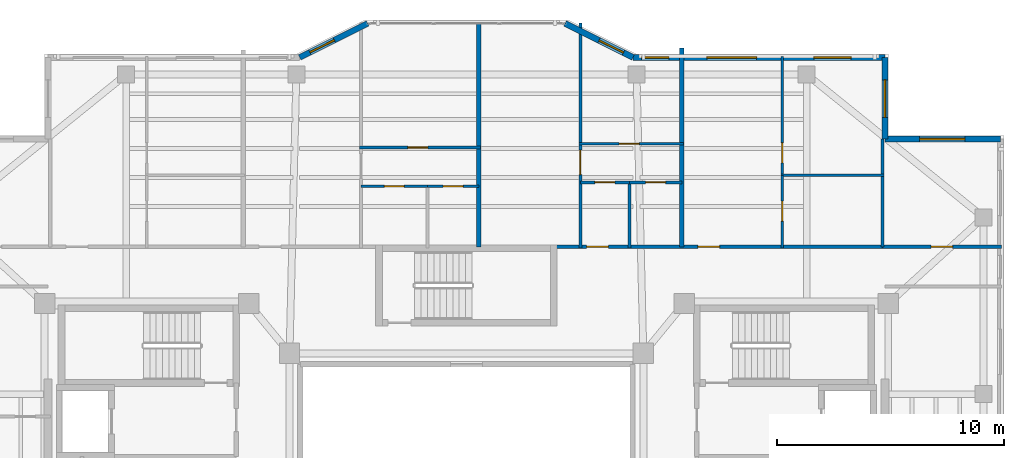
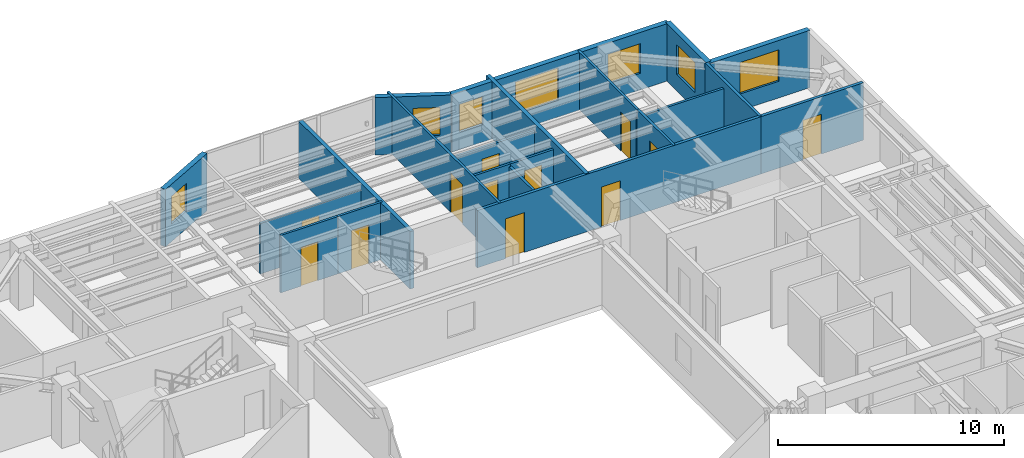
# One storey, part 8 of 12: 21 walls, 12 doors, 7 windows, 19 openings.
"""IFC4 building model written with IfcOpenShell, lengths in metres."""

import ifcopenshell
import ifcopenshell.guid

model = None  # the IFC model being written
_history = None  # IfcOwnerHistory: only IFC2X3 demands one
_inside = {}  # id of a spatial element -> (the spatial element, [elements in it])
_under = {}  # id of a project, library or spatial element -> (it, [spatial elements below it])
_declared = {}  # id of a project -> (the project, [libraries it declares])
_typed = {}  # id of a type object -> (the type object, [elements of that type])
_made_of = {}  # id of a material, layer set ... -> (it, [elements and type objects made of it])


def new_model(schema):
    """Start an empty IFC model of exactly this schema.

    Asked for "IFC4X3", IfcOpenShell would pick the latest addendum, in which some entities
    have other attributes; the version numbers below select the first issue.
    IFC2X3 requires an IfcOwnerHistory on every rooted entity: one is made here for all.
    """
    global model, _history
    if schema == "IFC4X3":
        model = ifcopenshell.file(schema_version=(4, 3, 0, 0))
    else:
        model = ifcopenshell.file(schema=schema)
    _inside.clear()
    _under.clear()
    _declared.clear()
    _typed.clear()
    _made_of.clear()
    _history = None
    if model.schema == "IFC2X3":
        org = make("IfcOrganization", Name="unknown")
        user = make(
            "IfcPersonAndOrganization",
            ThePerson=make("IfcPerson", FamilyName="unknown"),
            TheOrganization=org,
        )
        app = make(
            "IfcApplication",
            ApplicationDeveloper=org,
            Version="unknown",
            ApplicationFullName="unknown",
            ApplicationIdentifier="unknown",
        )
        _history = make(
            "IfcOwnerHistory",
            OwningUser=user,
            OwningApplication=app,
            ChangeAction="ADDED",
            CreationDate=0,
        )
    return model


def make(cls, **values):
    """One entity of the class cls with the attributes given. An attribute that is None is left unset."""
    return model.create_entity(
        cls, **{name: value for name, value in values.items() if value is not None}
    )


def rooted(cls, **values):
    """An entity with a GlobalId (a new one), such as an element, a storey or a relation."""
    return make(cls, GlobalId=ifcopenshell.guid.new(), OwnerHistory=_history, **values)


def si_unit(unit_type, name, prefix=None):
    """IfcSIUnit, for example si_unit("LENGTHUNIT", "METRE", prefix="MILLI")."""
    return make("IfcSIUnit", UnitType=unit_type, Prefix=prefix, Name=name)


def assignment(units):
    """IfcUnitAssignment: the units of a project."""
    return None if units is None else make("IfcUnitAssignment", Units=units)


def point(xyz):
    """IfcCartesianPoint."""
    return None if xyz is None else make("IfcCartesianPoint", Coordinates=xyz)


def direction(xyz):
    """IfcDirection."""
    return None if xyz is None else make("IfcDirection", DirectionRatios=xyz)


def frame(location, z_axis=None, x_axis=None):
    """IfcAxis2Placement3D, a coordinate frame: its origin and axes. An axis left out is left unset."""
    return make(
        "IfcAxis2Placement3D",
        Location=point(location),
        Axis=direction(z_axis),
        RefDirection=direction(x_axis),
    )


def frame_2d(location, x_axis=None):
    """IfcAxis2Placement2D, a coordinate frame in the plane: its origin and x axis."""
    return make(
        "IfcAxis2Placement2D", Location=point(location), RefDirection=direction(x_axis)
    )


def origin():
    """The frame at (0, 0, 0) with its axes left unset."""
    return frame((0.0, 0.0, 0.0))


def place(relative_to, where):
    """IfcLocalPlacement: puts the frame where relative to a parent placement (None: the world)."""
    return make(
        "IfcLocalPlacement", PlacementRelTo=relative_to, RelativePlacement=where
    )


def context(
    kind, dimensions, precision=None, world=None, true_north=None, identifier=None
):
    """IfcGeometricRepresentationContext, for example the 3D "Model" context."""
    return make(
        "IfcGeometricRepresentationContext",
        ContextIdentifier=identifier,
        ContextType=kind,
        CoordinateSpaceDimension=dimensions,
        Precision=precision,
        WorldCoordinateSystem=world,
        TrueNorth=true_north,
    )


def subcontext(parent, identifier, kind, view, scale=None):
    """IfcGeometricRepresentationSubContext, for example "Body" below "Model"."""
    return make(
        "IfcGeometricRepresentationSubContext",
        ContextIdentifier=identifier,
        ContextType=kind,
        ParentContext=parent,
        TargetScale=scale,
        TargetView=view,
    )


def project(units=None, contexts=None):
    """IfcProject with its units and contexts."""
    return rooted(
        "IfcProject",
        Name="project",
        RepresentationContexts=contexts,
        UnitsInContext=assignment(units),
    )


def spatial(cls, under=None, at=None, **own):
    """A site, building, storey or space (cls), placed at a placement, below another one or the project."""
    s = rooted(cls, ObjectPlacement=at, **own)
    if under is not None:
        _under.setdefault(under.id(), (under, []))[1].append(s)
    return s


def profile(cls, at=None, kind="AREA", **sizes):
    """A parametric profile (cls). Its sizes go by their IFC names, for example OverallWidth=200.0."""
    return make(cls, ProfileType=kind, Position=at, **sizes)


def rectangle(**sizes):
    """IfcRectangleProfileDef."""
    return profile("IfcRectangleProfileDef", **sizes)


def extrude(swept, where, along, depth):
    """IfcExtrudedAreaSolid: the profile swept, set in the frame where, extruded along a direction by depth."""
    return make(
        "IfcExtrudedAreaSolid",
        SweptArea=swept,
        Position=where,
        ExtrudedDirection=direction(along),
        Depth=depth,
    )


def shape(context_of_items, identifier, shape_type, items):
    """IfcShapeRepresentation: the items that make up one representation, for example the "Body"."""
    return make(
        "IfcShapeRepresentation",
        ContextOfItems=context_of_items,
        RepresentationIdentifier=identifier,
        RepresentationType=shape_type,
        Items=items,
    )


def material(Name=None, Category=None):
    """IfcMaterial."""
    return make("IfcMaterial", Name=Name, Category=Category)


def layer(
    of_material, thickness, ventilated=None, Name=None, Category=None, Priority=None
):
    """IfcMaterialLayer: one layer of a wall or slab, of a material (None: an air gap)."""
    return make(
        "IfcMaterialLayer",
        Material=of_material,
        LayerThickness=thickness,
        IsVentilated=ventilated,
        Name=Name,
        Category=Category,
        Priority=Priority,
    )


def layer_set(layers, Name=None):
    """IfcMaterialLayerSet."""
    return make("IfcMaterialLayerSet", MaterialLayers=layers, LayerSetName=Name)


def made_of(thing, what):
    """Note that an element or type object is made of a material, layer set ...; save() writes the relation."""
    if what is not None:
        _made_of.setdefault(what.id(), (what, []))[1].append(thing)
    return thing


def type_object(cls, material=None, **own):
    """A type object (cls), such as IfcWallType, which elements share."""
    return made_of(rooted(cls, **own), material)


def element(
    cls,
    number,
    at=None,
    inside=None,
    cuts=None,
    type_object=None,
    material=None,
    context=None,
    identifier="Body",
    shape_type=None,
    held_by="IfcProductDefinitionShape",
    body=None,
    shapes=None,
    **own,
):
    """One element of the class cls, such as IfcWall. Its Tag is "e" and its number.

    at: its placement. inside: the storey or other place that contains it. cuts: it is an
    opening in that element (IfcRelVoidsElement). A single representation is given by context,
    identifier, shape_type and body (its items); several are given by shapes. held_by: the class
    of the entity that holds the representations. save() writes the other relations.
    """
    e = rooted(cls, Tag="e%d" % number, ObjectPlacement=at, **own)
    if body is not None:
        shapes = [shape(context, identifier, shape_type, body)]
    if shapes is not None:
        e.Representation = make(held_by, Representations=shapes)
    if inside is not None:
        _inside.setdefault(inside.id(), (inside, []))[1].append(e)
    if cuts is not None:
        rooted(
            "IfcRelVoidsElement", RelatingBuildingElement=cuts, RelatedOpeningElement=e
        )
    if type_object is not None:
        _typed.setdefault(type_object.id(), (type_object, []))[1].append(e)
    return made_of(e, material)


def fill(opening, filler):
    """IfcRelFillsElement: the door or window that sits in an opening."""
    return rooted(
        "IfcRelFillsElement",
        RelatingOpeningElement=opening,
        RelatedBuildingElement=filler,
    )


def aggregate(whole, parts):
    """IfcRelAggregates: a whole, such as a stair, and the parts it consists of."""
    return rooted("IfcRelAggregates", RelatingObject=whole, RelatedObjects=parts)


def save(model, path):
    """Write the relations noted so far, then the file.

    IfcRelAggregates (storeys below a building ...), IfcRelContainedInSpatialStructure (elements
    in a storey), IfcRelDefinesByType, IfcRelAssociatesMaterial and IfcRelDeclares: one each for
    every whole, place, type object, material and project.
    """
    for whole, parts in _under.values():
        aggregate(whole, parts)
    for where, things in _inside.values():
        rooted(
            "IfcRelContainedInSpatialStructure",
            RelatedElements=things,
            RelatingStructure=where,
        )
    for kind, things in _typed.values():
        rooted("IfcRelDefinesByType", RelatedObjects=things, RelatingType=kind)
    for what, things in _made_of.values():
        rooted("IfcRelAssociatesMaterial", RelatedObjects=things, RelatingMaterial=what)
    for by, libraries in _declared.values():
        rooted("IfcRelDeclares", RelatingContext=by, RelatedDefinitions=libraries)
    model.write(path)


model = new_model("IFC4")

# Units and contexts
model_context = context("Model", 3, precision=1e-05, world=origin(), true_north=direction((0.0, 1.0)))
body_context = subcontext(model_context, "Body", "Model", "MODEL_VIEW")
ifc_project = project(units=[si_unit("LENGTHUNIT", "METRE"), si_unit("AREAUNIT", "SQUARE_METRE"), si_unit("VOLUMEUNIT", "CUBIC_METRE"), si_unit("PLANEANGLEUNIT", "RADIAN"), si_unit("MASSUNIT", "GRAM", prefix="KILO")], contexts=[model_context])

# Site, building, storey
site_placement = place(None, origin())
site = spatial("IfcSite", under=ifc_project, at=site_placement, CompositionType="ELEMENT")
building_placement = place(site_placement, origin())
building = spatial("IfcBuilding", under=site, at=building_placement, Name="Tarnavaz Court Tower", CompositionType="ELEMENT")
storey_placement = place(building_placement, frame((0.0, 0.0, 207.0)))
storey = spatial("IfcBuildingStorey", under=building, at=storey_placement, Name="L56", CompositionType="ELEMENT", Elevation=207.0)

# Wall, opening, window
ifc_material_1 = material(Name="Precast Concrete C40/50", Category="concrete")
ifc_layer_1 = layer(ifc_material_1, 0.260009765625)
ifc_layer_set_1 = layer_set([ifc_layer_1], Name="Precast Concrete C40/50")
wall_type_1 = type_object("IfcWallType", Name="WL-EXT-260", PredefinedType="SOLIDWALL", material=ifc_layer_set_1)
wall_1_placement = place(storey_placement, frame((-7.35009765625, 20.85009765625, 0.0), z_axis=(0.0, 0.0, 1.0), x_axis=(0.894427191, 0.4472135955, 0.0)))
wall_1 = element("IfcWall", 1, at=wall_1_placement, inside=storey, type_object=wall_type_1, Name="L56 Exterior Terracotta Facade Wall 06", PredefinedType="SOLIDWALL", context=body_context, shape_type="SweptSolid", body=[
    extrude(rectangle(XDim=3.35400390625, YDim=0.260009765625, at=frame_2d((1.677001953125, 0.0))), origin(), (0.0, 0.0, 1.0), 3.10009765625),
])
opening_1_placement = place(wall_1_placement, frame((0.501220703125, 0.0, 0.949951171875)))
opening_1 = element("IfcOpeningElement", 2, at=opening_1_placement, cuts=wall_1, Name="Opening W05", PredefinedType="OPENING", context=body_context, shape_type="SweptSolid", body=[
    extrude(rectangle(XDim=1.199951171875, YDim=1.5, at=frame_2d((0.60009765625, 0.75))), frame((0.0, 0.139892578125, 0.0), z_axis=(0.0, -1.0, 0.0), x_axis=(1.0, 0.0, 0.0)), (0.0, 0.0, 1.0), 0.280029296875),
])
ifc_material_2 = material(Name="Double-Glazed Solar Low-E Glass", Category="glass")
window_type_1 = type_object("IfcWindowType", Name="WN-APT-1200", PartitioningType="SINGLE_PANEL", PredefinedType="WINDOW", material=ifc_material_2)
window_1_placement = place(opening_1_placement, origin())
window_1 = element("IfcWindow", 3, at=window_1_placement, inside=storey, type_object=window_type_1, Name="L56 Flat 02 Living and Dining Room Window", OverallHeight=1.5, OverallWidth=1.199951171875, PartitioningType="SINGLE_PANEL", PredefinedType="WINDOW", context=body_context, shape_type="SweptSolid", body=[
    extrude(rectangle(XDim=1.199951171875, YDim=1.5, at=frame_2d((0.60009765625, 0.75))), frame((0.0, 0.030029296875, 0.0), z_axis=(0.0, -1.0, 0.0), x_axis=(1.0, 0.0, 0.0)), (0.0, 0.0, 1.0), 0.06005859375),
])
fill(opening_1, window_1)

wall_2_placement = place(storey_placement, frame((4.35009765625, 22.35009765625, 0.0), z_axis=(0.0, 0.0, 1.0), x_axis=(0.894427191, -0.4472135955, 0.0)))
wall_2 = element("IfcWall", 4, at=wall_2_placement, inside=storey, type_object=wall_type_1, Name="L56 Exterior Terracotta Facade Wall 08", PredefinedType="SOLIDWALL", context=body_context, shape_type="SweptSolid", body=[
    extrude(rectangle(XDim=3.35400390625, YDim=0.260009765625, at=frame_2d((1.677001953125, 0.0))), origin(), (0.0, 0.0, 1.0), 3.10009765625),
])
opening_2_placement = place(wall_2_placement, frame((1.677978515625, 0.0, 0.949951171875)))
opening_2 = element("IfcOpeningElement", 5, at=opening_2_placement, cuts=wall_2, Name="Opening W05", PredefinedType="OPENING", context=body_context, shape_type="SweptSolid", body=[
    extrude(rectangle(XDim=1.199951171875, YDim=1.5, at=frame_2d((0.60009765625, 0.75))), frame((0.0, 0.139892578125, 0.0), z_axis=(0.0, -1.0, 0.0), x_axis=(1.0, 0.0, 0.0)), (0.0, 0.0, 1.0), 0.280029296875),
])
window_2_placement = place(opening_2_placement, origin())
window_2 = element("IfcWindow", 6, at=window_2_placement, inside=storey, type_object=window_type_1, Name="L56 Flat 03 Bedroom 1 Window", OverallHeight=1.5, OverallWidth=1.199951171875, PartitioningType="SINGLE_PANEL", PredefinedType="WINDOW", context=body_context, shape_type="SweptSolid", body=[
    extrude(rectangle(XDim=1.199951171875, YDim=1.5, at=frame_2d((0.60009765625, 0.75))), frame((0.0, 0.030029296875, 0.0), z_axis=(0.0, -1.0, 0.0), x_axis=(1.0, 0.0, 0.0)), (0.0, 0.0, 1.0), 0.06005859375),
])
fill(opening_2, window_2)

# Wall, openings, windows
wall_3_placement = place(storey_placement, frame((7.35009765625, 20.85009765625, 0.0), z_axis=(0.0, 0.0, 1.0), x_axis=(1.0, 0.0, 0.0)))
wall_3 = element("IfcWall", 7, at=wall_3_placement, inside=storey, type_object=wall_type_1, Name="L56 Exterior Terracotta Facade Wall 09", PredefinedType="SOLIDWALL", context=body_context, shape_type="SweptSolid", body=[
    extrude(rectangle(XDim=11.099853515625, YDim=0.260009765625, at=frame_2d((5.5498046875, 0.0))), origin(), (0.0, 0.0, 1.0), 3.10009765625),
])
opening_3_placement = place(wall_3_placement, frame((0.375, 0.0, 0.949951171875)))
opening_3 = element("IfcOpeningElement", 8, at=opening_3_placement, cuts=wall_3, Name="Opening W05", PredefinedType="OPENING", context=body_context, shape_type="SweptSolid", body=[
    extrude(rectangle(XDim=1.199951171875, YDim=1.5, at=frame_2d((0.60009765625, 0.75))), frame((0.0, 0.139892578125, 0.0), z_axis=(0.0, -1.0, 0.0), x_axis=(1.0, 0.0, 0.0)), (0.0, 0.0, 1.0), 0.280029296875),
])
opening_4_placement = place(wall_3_placement, frame((3.24462890625, 0.0, 0.89990234375)))
opening_4 = element("IfcOpeningElement", 9, at=opening_4_placement, cuts=wall_3, Name="Opening W07", PredefinedType="OPENING", context=body_context, shape_type="SweptSolid", body=[
    extrude(rectangle(XDim=2.199951171875, YDim=1.75, at=frame_2d((1.10009765625, 0.875))), frame((0.0, 0.139892578125, 0.0), z_axis=(0.0, -1.0, 0.0), x_axis=(1.0, 0.0, 0.0)), (0.0, 0.0, 1.0), 0.280029296875),
])
opening_5_placement = place(wall_3_placement, frame((7.964599609375, 0.0, 0.89990234375)))
opening_5 = element("IfcOpeningElement", 10, at=opening_5_placement, cuts=wall_3, Name="Opening W02", PredefinedType="OPENING", context=body_context, shape_type="SweptSolid", body=[
    extrude(rectangle(XDim=1.64990234375, YDim=1.60009765625, at=frame_2d((0.824951171875, 0.800048828125))), frame((0.0, 0.139892578125, 0.0), z_axis=(0.0, -1.0, 0.0), x_axis=(1.0, 0.0, 0.0)), (0.0, 0.0, 1.0), 0.280029296875),
])
window_3_placement = place(opening_3_placement, origin())
window_3 = element("IfcWindow", 11, at=window_3_placement, inside=storey, type_object=window_type_1, Name="L56 Flat 03 Bedroom 1 Window", OverallHeight=1.5, OverallWidth=1.199951171875, PartitioningType="SINGLE_PANEL", PredefinedType="WINDOW", context=body_context, shape_type="SweptSolid", body=[
    extrude(rectangle(XDim=1.199951171875, YDim=1.5, at=frame_2d((0.60009765625, 0.75))), frame((0.0, 0.030029296875, 0.0), z_axis=(0.0, -1.0, 0.0), x_axis=(1.0, 0.0, 0.0)), (0.0, 0.0, 1.0), 0.06005859375),
])
fill(opening_3, window_3)
window_type_2 = type_object("IfcWindowType", Name="WN-APT-1650", PartitioningType="DOUBLE_PANEL_VERTICAL", PredefinedType="WINDOW", material=ifc_material_2)
window_4_placement = place(opening_5_placement, origin())
window_4 = element("IfcWindow", 12, at=window_4_placement, inside=storey, type_object=window_type_2, Name="L56 Flat 04 Kitchen Window", OverallHeight=1.60009765625, OverallWidth=1.64990234375, PartitioningType="SINGLE_PANEL", PredefinedType="WINDOW", context=body_context, shape_type="SweptSolid", body=[
    extrude(rectangle(XDim=1.64990234375, YDim=1.60009765625, at=frame_2d((0.824951171875, 0.800048828125))), frame((0.0, 0.030029296875, 0.0), z_axis=(0.0, -1.0, 0.0), x_axis=(1.0, 0.0, 0.0)), (0.0, 0.0, 1.0), 0.06005859375),
])
fill(opening_5, window_4)
window_type_3 = type_object("IfcWindowType", Name="WN-APT-2200", PartitioningType="TRIPLE_PANEL_VERTICAL", PredefinedType="WINDOW", material=ifc_material_2)
window_5_placement = place(opening_4_placement, origin())
window_5 = element("IfcWindow", 13, at=window_5_placement, inside=storey, type_object=window_type_3, Name="L56 Flat 04 Studio Living and Sleeping Room Window", OverallHeight=1.75, OverallWidth=2.199951171875, PartitioningType="SINGLE_PANEL", PredefinedType="WINDOW", context=body_context, shape_type="SweptSolid", body=[
    extrude(rectangle(XDim=2.199951171875, YDim=1.75, at=frame_2d((1.10009765625, 0.875))), frame((0.0, 0.030029296875, 0.0), z_axis=(0.0, -1.0, 0.0), x_axis=(1.0, 0.0, 0.0)), (0.0, 0.0, 1.0), 0.06005859375),
])
fill(opening_4, window_5)

# Wall, opening, window
wall_4_placement = place(storey_placement, frame((18.449951171875, 20.85009765625, 0.0), z_axis=(0.0, 0.0, 1.0), x_axis=(0.0, -1.0, 0.0)))
wall_4 = element("IfcWall", 14, at=wall_4_placement, inside=storey, type_object=wall_type_1, Name="L56 Exterior Terracotta Facade Wall 10", PredefinedType="SOLIDWALL", context=body_context, shape_type="SweptSolid", body=[
    extrude(rectangle(XDim=3.60009765625, YDim=0.260009765625, at=frame_2d((1.800048828125, 0.0))), origin(), (0.0, 0.0, 1.0), 3.10009765625),
])
opening_6_placement = place(wall_4_placement, frame((0.992431640625, 0.0, 0.89990234375)))
opening_6 = element("IfcOpeningElement", 15, at=opening_6_placement, cuts=wall_4, Name="Opening W02", PredefinedType="OPENING", context=body_context, shape_type="SweptSolid", body=[
    extrude(rectangle(XDim=1.64990234375, YDim=1.60009765625, at=frame_2d((0.824951171875, 0.800048828125))), frame((0.0, 0.139892578125, 0.0), z_axis=(0.0, -1.0, 0.0), x_axis=(1.0, 0.0, 0.0)), (0.0, 0.0, 1.0), 0.280029296875),
])
window_6_placement = place(opening_6_placement, origin())
window_6 = element("IfcWindow", 16, at=window_6_placement, inside=storey, type_object=window_type_2, Name="L56 Flat 04 Kitchen Window", OverallHeight=1.60009765625, OverallWidth=1.64990234375, PartitioningType="SINGLE_PANEL", PredefinedType="WINDOW", context=body_context, shape_type="SweptSolid", body=[
    extrude(rectangle(XDim=1.64990234375, YDim=1.60009765625, at=frame_2d((0.824951171875, 0.800048828125))), frame((0.0, 0.030029296875, 0.0), z_axis=(0.0, -1.0, 0.0), x_axis=(1.0, 0.0, 0.0)), (0.0, 0.0, 1.0), 0.06005859375),
])
fill(opening_6, window_6)

wall_5_placement = place(storey_placement, frame((18.449951171875, 17.25, 0.0), z_axis=(0.0, 0.0, 1.0), x_axis=(1.0, 0.0, 0.0)))
wall_5 = element("IfcWall", 17, at=wall_5_placement, inside=storey, type_object=wall_type_1, Name="L56 Exterior Terracotta Facade Wall 11", PredefinedType="SOLIDWALL", context=body_context, shape_type="SweptSolid", body=[
    extrude(rectangle(XDim=5.10009765625, YDim=0.260009765625, at=frame_2d((2.550048828125, 0.0))), origin(), (0.0, 0.0, 1.0), 3.10009765625),
])
opening_7_placement = place(wall_5_placement, frame((1.52490234375, 0.0, 0.89990234375)))
opening_7 = element("IfcOpeningElement", 18, at=opening_7_placement, cuts=wall_5, Name="Opening W08", PredefinedType="OPENING", context=body_context, shape_type="SweptSolid", body=[
    extrude(rectangle(XDim=2.0, YDim=1.699951171875, at=frame_2d((1.0, 0.85009765625))), frame((0.0, 0.139892578125, 0.0), z_axis=(0.0, -1.0, 0.0), x_axis=(1.0, 0.0, 0.0)), (0.0, 0.0, 1.0), 0.280029296875),
])
window_type_4 = type_object("IfcWindowType", Name="WN-APT-2000", PartitioningType="DOUBLE_PANEL_VERTICAL", PredefinedType="WINDOW", material=ifc_material_2)
window_7_placement = place(opening_7_placement, origin())
window_7 = element("IfcWindow", 19, at=window_7_placement, inside=storey, type_object=window_type_4, Name="L56 North-East Corner Sunroom Study Window", OverallHeight=1.699951171875, OverallWidth=2.0, PartitioningType="SINGLE_PANEL", PredefinedType="WINDOW", context=body_context, shape_type="SweptSolid", body=[
    extrude(rectangle(XDim=2.0, YDim=1.699951171875, at=frame_2d((1.0, 0.85009765625))), frame((0.0, 0.030029296875, 0.0), z_axis=(0.0, -1.0, 0.0), x_axis=(1.0, 0.0, 0.0)), (0.0, 0.0, 1.0), 0.06005859375),
])
fill(opening_7, window_7)

# Wall, openings, doors
ifc_material_3 = material(Name="Gypsum Fire-Board on Acoustic Metal Stud", Category="masonry")
ifc_layer_2 = layer(ifc_material_3, 0.14990234375)
ifc_layer_set_2 = layer_set([ifc_layer_2], Name="Gypsum Fire-Board on Acoustic Metal Stud")
wall_type_2 = type_object("IfcWallType", Name="WL-FIRE-150", PredefinedType="PARTITIONING", material=ifc_layer_set_2)
wall_6_placement = place(storey_placement, frame((3.85009765625, 12.5, 0.0), z_axis=(0.0, 0.0, 1.0), x_axis=(1.0, 0.0, 0.0)))
wall_6 = element("IfcWall", 20, at=wall_6_placement, inside=storey, type_object=wall_type_2, Name="L56 NE Wing Corridor Wall 056", PredefinedType="PARTITIONING", context=body_context, shape_type="SweptSolid", body=[
    extrude(rectangle(XDim=14.5, YDim=0.14990234375, at=frame_2d((7.25, 0.0))), origin(), (0.0, 0.0, 1.0), 3.10009765625),
])
opening_8_placement = place(wall_6_placement, frame((1.449951171875, 0.0, 0.0)))
opening_8 = element("IfcOpeningElement", 21, at=opening_8_placement, cuts=wall_6, Name="Opening D06", PredefinedType="OPENING", context=body_context, shape_type="SweptSolid", body=[
    extrude(rectangle(XDim=0.9599609375, YDim=2.14990234375, at=frame_2d((0.47998046875, 1.074951171875))), frame((0.0, 0.0849609375, 0.0), z_axis=(0.0, -1.0, 0.0), x_axis=(1.0, 0.0, 0.0)), (0.0, 0.0, 1.0), 0.169921875),
])
opening_9_placement = place(wall_6_placement, frame((6.35009765625, 0.0, 0.0)))
opening_9 = element("IfcOpeningElement", 22, at=opening_9_placement, cuts=wall_6, Name="Opening D06", PredefinedType="OPENING", context=body_context, shape_type="SweptSolid", body=[
    extrude(rectangle(XDim=0.9599609375, YDim=2.14990234375, at=frame_2d((0.47998046875, 1.074951171875))), frame((0.0, 0.0849609375, 0.0), z_axis=(0.0, -1.0, 0.0), x_axis=(1.0, 0.0, 0.0)), (0.0, 0.0, 1.0), 0.169921875),
])
ifc_material_4 = material(Name="Fire-Rated Hardwood Timber Core", Category="wood")
door_type_1 = type_object("IfcDoorType", Name="DR-FD60-950", OperationType="NOTDEFINED", PredefinedType="DOOR", material=ifc_material_4)
door_1_placement = place(opening_8_placement, origin())
door_1 = element("IfcDoor", 23, at=door_1_placement, inside=storey, type_object=door_type_1, Name="L56 Flat 03 Entrance Door", OperationType="SINGLE_SWING_LEFT", OverallHeight=2.14990234375, OverallWidth=0.9599609375, PredefinedType="DOOR", context=body_context, shape_type="SweptSolid", body=[
    extrude(rectangle(XDim=0.9599609375, YDim=2.14990234375, at=frame_2d((0.47998046875, 1.074951171875))), frame((0.0, 0.02490234375, 0.0), z_axis=(0.0, -1.0, 0.0), x_axis=(1.0, 0.0, 0.0)), (0.0, 0.0, 1.0), 0.050048828125),
])
fill(opening_8, door_1)
door_2_placement = place(opening_9_placement, origin())
door_2 = element("IfcDoor", 24, at=door_2_placement, inside=storey, type_object=door_type_1, Name="L56 Flat 04 Entrance Door", OperationType="SINGLE_SWING_RIGHT", OverallHeight=2.14990234375, OverallWidth=0.9599609375, PredefinedType="DOOR", context=body_context, shape_type="SweptSolid", body=[
    extrude(rectangle(XDim=0.9599609375, YDim=2.14990234375, at=frame_2d((0.47998046875, 1.074951171875))), frame((0.0, 0.02490234375, 0.0), z_axis=(0.0, -1.0, 0.0), x_axis=(1.0, 0.0, 0.0)), (0.0, 0.0, 1.0), 0.050048828125),
])
fill(opening_9, door_2)

# Wall, opening, door
wall_7_placement = place(storey_placement, frame((18.35009765625, 12.5, 0.0), z_axis=(0.0, 0.0, 1.0), x_axis=(1.0, 0.0, 0.0)))
wall_7 = element("IfcWall", 25, at=wall_7_placement, inside=storey, type_object=wall_type_2, Name="L56 Interior Partition 105", PredefinedType="PARTITIONING", context=body_context, shape_type="SweptSolid", body=[
    extrude(rectangle(XDim=5.22998046875, YDim=0.14990234375, at=frame_2d((2.614990234375, 0.0))), origin(), (0.0, 0.0, 1.0), 3.10009765625),
])
opening_10_placement = place(wall_7_placement, frame((2.139892578125, 0.0, 0.0)))
opening_10 = element("IfcOpeningElement", 26, at=opening_10_placement, cuts=wall_7, Name="Opening D13", PredefinedType="OPENING", context=body_context, shape_type="SweptSolid", body=[
    extrude(rectangle(XDim=0.949951171875, YDim=2.14990234375, at=frame_2d((0.47509765625, 1.074951171875))), frame((0.0, 0.0849609375, 0.0), z_axis=(0.0, -1.0, 0.0), x_axis=(1.0, 0.0, 0.0)), (0.0, 0.0, 1.0), 0.169921875),
])
ifc_material_5 = material(Name="Engineered Oak Timber", Category="wood")
door_type_2 = type_object("IfcDoorType", Name="DR-INT-950", OperationType="NOTDEFINED", PredefinedType="DOOR", material=ifc_material_5)
door_3_placement = place(opening_10_placement, origin())
door_3 = element("IfcDoor", 27, at=door_3_placement, inside=storey, type_object=door_type_2, Name="L56 NE Sunroom Door", OperationType="SINGLE_SWING_RIGHT", OverallHeight=2.14990234375, OverallWidth=0.949951171875, PredefinedType="DOOR", context=body_context, shape_type="SweptSolid", body=[
    extrude(rectangle(XDim=0.949951171875, YDim=2.14990234375, at=frame_2d((0.47509765625, 1.074951171875))), frame((0.0, 0.02490234375, 0.0), z_axis=(0.0, -1.0, 0.0), x_axis=(1.0, 0.0, 0.0)), (0.0, 0.0, 1.0), 0.050048828125),
])
fill(opening_10, door_3)

# Walls
ifc_material_6 = material(Name="Autoclaved Aerated Concrete Blockwork", Category="masonry")
ifc_layer_3 = layer(ifc_material_6, 0.199951171875)
ifc_layer_set_3 = layer_set([ifc_layer_3], Name="Autoclaved Aerated Concrete Blockwork")
wall_type_3 = type_object("IfcWallType", Name="WL-FIRE-200", PredefinedType="SOLIDWALL", material=ifc_layer_set_3)
wall_8_placement = place(storey_placement, frame((0.550048828125, 12.5, 0.0), z_axis=(0.0, 0.0, 1.0), x_axis=(0.0, 1.0, 0.0)))
element("IfcWall", 28, at=wall_8_placement, inside=storey, type_object=wall_type_3, Name="L56 North Center Party Wall 061", PredefinedType="SOLIDWALL", context=body_context, shape_type="SweptSolid", body=[
    extrude(rectangle(XDim=9.8798828125, YDim=0.199951171875, at=frame_2d((4.93994140625, 0.0))), origin(), (0.0, 0.0, 1.0), 3.10009765625),
])
wall_9_placement = place(storey_placement, frame((9.5, 12.5, 0.0), z_axis=(0.0, 0.0, 1.0), x_axis=(0.0, 1.0, 0.0)))
element("IfcWall", 29, at=wall_9_placement, inside=storey, type_object=wall_type_3, Name="L56 Party Wall 071", PredefinedType="SOLIDWALL", context=body_context, shape_type="SweptSolid", body=[
    extrude(rectangle(XDim=8.77001953125, YDim=0.199951171875, at=frame_2d((4.385009765625, 0.0))), origin(), (0.0, 0.0, 1.0), 3.10009765625),
])

# Wall, opening, door
ifc_material_7 = material(Name="Moisture-Resistant Gypsum Board Partition", Category="masonry")
ifc_layer_4 = layer(ifc_material_7, 0.1201171875)
ifc_layer_set_4 = layer_set([ifc_layer_4], Name="Moisture-Resistant Gypsum Board Partition")
wall_type_4 = type_object("IfcWallType", Name="WL-PART-120", PredefinedType="PARTITIONING", material=ifc_layer_set_4)
wall_10_placement = place(storey_placement, frame((-4.64697265625, 15.169921875, 0.0), z_axis=(0.0, 0.0, 1.0), x_axis=(1.0, 0.0, 0.0)))
wall_10 = element("IfcWall", 30, at=wall_10_placement, inside=storey, type_object=wall_type_4, Name="L56 Interior Partition 067", PredefinedType="PARTITIONING", context=body_context, shape_type="SweptSolid", body=[
    extrude(rectangle(XDim=2.927978515625, YDim=0.1201171875, at=frame_2d((1.4638671875, 0.0))), origin(), (0.0, 0.0, 1.0), 3.10009765625),
])
opening_11_placement = place(wall_10_placement, frame((1.02392578125, 0.0, 0.0)))
opening_11 = element("IfcOpeningElement", 31, at=opening_11_placement, cuts=wall_10, Name="Opening D14", PredefinedType="OPENING", context=body_context, shape_type="SweptSolid", body=[
    extrude(rectangle(XDim=0.8798828125, YDim=2.10009765625, at=frame_2d((0.43994140625, 1.050048828125))), frame((0.0, 0.070068359375, 0.0), z_axis=(0.0, -1.0, 0.0), x_axis=(1.0, 0.0, 0.0)), (0.0, 0.0, 1.0), 0.14013671875),
])
door_type_3 = type_object("IfcDoorType", Name="DR-INT-900", OperationType="NOTDEFINED", PredefinedType="DOOR", material=ifc_material_5)
door_4_placement = place(opening_11_placement, origin())
door_4 = element("IfcDoor", 32, at=door_4_placement, inside=storey, type_object=door_type_3, Name="L56 Flat 02 Kitchen Door", OperationType="SINGLE_SWING_RIGHT", OverallHeight=2.10009765625, OverallWidth=0.8798828125, PredefinedType="DOOR", context=body_context, shape_type="SweptSolid", body=[
    extrude(rectangle(XDim=0.8798828125, YDim=2.10009765625, at=frame_2d((0.43994140625, 1.050048828125))), frame((0.0, 0.02490234375, 0.0), z_axis=(0.0, -1.0, 0.0), x_axis=(1.0, 0.0, 0.0)), (0.0, 0.0, 1.0), 0.050048828125),
])
fill(opening_11, door_4)

wall_11_placement = place(storey_placement, frame((-1.718994140625, 15.169921875, 0.0), z_axis=(0.0, 0.0, 1.0), x_axis=(1.0, 0.0, 0.0)))
wall_11 = element("IfcWall", 33, at=wall_11_placement, inside=storey, type_object=wall_type_4, Name="L56 Interior Partition 068", PredefinedType="PARTITIONING", context=body_context, shape_type="SweptSolid", body=[
    extrude(rectangle(XDim=2.26904296875, YDim=0.1201171875, at=frame_2d((1.134521484375, 0.0))), origin(), (0.0, 0.0, 1.0), 3.10009765625),
])
opening_12_placement = place(wall_11_placement, frame((0.695068359375, 0.0, 0.0)))
opening_12 = element("IfcOpeningElement", 34, at=opening_12_placement, cuts=wall_11, Name="Opening D14", PredefinedType="OPENING", context=body_context, shape_type="SweptSolid", body=[
    extrude(rectangle(XDim=0.8798828125, YDim=2.10009765625, at=frame_2d((0.43994140625, 1.050048828125))), frame((0.0, 0.070068359375, 0.0), z_axis=(0.0, -1.0, 0.0), x_axis=(1.0, 0.0, 0.0)), (0.0, 0.0, 1.0), 0.14013671875),
])
door_5_placement = place(opening_12_placement, origin())
door_5 = element("IfcDoor", 35, at=door_5_placement, inside=storey, type_object=door_type_3, Name="L56 Flat 02 Bathroom Door", OperationType="SINGLE_SWING_LEFT", OverallHeight=2.10009765625, OverallWidth=0.8798828125, PredefinedType="DOOR", context=body_context, shape_type="SweptSolid", body=[
    extrude(rectangle(XDim=0.8798828125, YDim=2.10009765625, at=frame_2d((0.43994140625, 1.050048828125))), frame((0.0, 0.02490234375, 0.0), z_axis=(0.0, -1.0, 0.0), x_axis=(1.0, 0.0, 0.0)), (0.0, 0.0, 1.0), 0.050048828125),
])
fill(opening_12, door_5)

wall_12_placement = place(storey_placement, frame((-4.70703125, 16.8798828125, 0.0), z_axis=(0.0, 0.0, 1.0), x_axis=(1.0, 0.0, 0.0)))
wall_12 = element("IfcWall", 36, at=wall_12_placement, inside=storey, type_object=wall_type_4, Name="L56 Interior Partition 069", PredefinedType="PARTITIONING", context=body_context, shape_type="SweptSolid", body=[
    extrude(rectangle(XDim=5.317138671875, YDim=0.1201171875, at=frame_2d((2.65869140625, 0.0))), origin(), (0.0, 0.0, 1.0), 2.72509765625),
])
opening_13_placement = place(wall_12_placement, frame((2.12890625, 0.0, 0.0)))
opening_13 = element("IfcOpeningElement", 37, at=opening_13_placement, cuts=wall_12, Name="Opening D14", PredefinedType="OPENING", context=body_context, shape_type="SweptSolid", body=[
    extrude(rectangle(XDim=0.8798828125, YDim=2.10009765625, at=frame_2d((0.43994140625, 1.050048828125))), frame((0.0, 0.070068359375, 0.0), z_axis=(0.0, -1.0, 0.0), x_axis=(1.0, 0.0, 0.0)), (0.0, 0.0, 1.0), 0.14013671875),
])
door_6_placement = place(opening_13_placement, origin())
door_6 = element("IfcDoor", 38, at=door_6_placement, inside=storey, type_object=door_type_3, Name="L56 Flat 02 Bedroom 1 Door", OperationType="SINGLE_SWING_RIGHT", OverallHeight=2.10009765625, OverallWidth=0.8798828125, PredefinedType="DOOR", context=body_context, shape_type="SweptSolid", body=[
    extrude(rectangle(XDim=0.8798828125, YDim=2.10009765625, at=frame_2d((0.43994140625, 1.050048828125))), frame((0.0, 0.02490234375, 0.0), z_axis=(0.0, -1.0, 0.0), x_axis=(1.0, 0.0, 0.0)), (0.0, 0.0, 1.0), 0.050048828125),
])
fill(opening_13, door_6)

wall_13_placement = place(storey_placement, frame((5.02490234375, 12.43994140625, 0.0), z_axis=(0.0, 0.0, 1.0), x_axis=(0.0, 1.0, 0.0)))
wall_13 = element("IfcWall", 39, at=wall_13_placement, inside=storey, type_object=wall_type_4, Name="L56 Interior Partition 072", PredefinedType="PARTITIONING", context=body_context, shape_type="SweptSolid", body=[
    extrude(rectangle(XDim=9.93408203125, YDim=0.1201171875, at=frame_2d((4.967041015625, 0.0))), origin(), (0.0, 0.0, 1.0), 3.10009765625),
])
opening_14_placement = place(wall_13_placement, frame((3.2451171875, 0.0, 0.0)))
opening_14 = element("IfcOpeningElement", 40, at=opening_14_placement, cuts=wall_13, Name="Opening D12", PredefinedType="OPENING", context=body_context, shape_type="SweptSolid", body=[
    extrude(rectangle(XDim=1.080078125, YDim=2.14990234375, at=frame_2d((0.5400390625, 1.074951171875))), frame((0.0, 0.070068359375, 0.0), z_axis=(0.0, -1.0, 0.0), x_axis=(1.0, 0.0, 0.0)), (0.0, 0.0, 1.0), 0.14013671875),
])
door_type_4 = type_object("IfcDoorType", Name="DR-INT-1100", OperationType="NOTDEFINED", PredefinedType="DOOR", material=ifc_material_5)
door_7_placement = place(opening_14_placement, origin())
door_7 = element("IfcDoor", 41, at=door_7_placement, inside=storey, type_object=door_type_4, Name="L56 Flat 03 Foyer Door", OperationType="SINGLE_SWING_RIGHT", OverallHeight=2.14990234375, OverallWidth=1.080078125, PredefinedType="DOOR", context=body_context, shape_type="SweptSolid", body=[
    extrude(rectangle(XDim=1.080078125, YDim=2.14990234375, at=frame_2d((0.5400390625, 1.074951171875))), frame((0.0, 0.02490234375, 0.0), z_axis=(0.0, -1.0, 0.0), x_axis=(1.0, 0.0, 0.0)), (0.0, 0.0, 1.0), 0.050048828125),
])
fill(opening_14, door_7)

wall_14_placement = place(storey_placement, frame((5.02490234375, 15.340087890625, 0.0), z_axis=(0.0, 0.0, 1.0), x_axis=(1.0, 0.0, 0.0)))
wall_14 = element("IfcWall", 42, at=wall_14_placement, inside=storey, type_object=wall_type_4, Name="L56 Interior Partition 073", PredefinedType="PARTITIONING", context=body_context, shape_type="SweptSolid", body=[
    extrude(rectangle(XDim=2.1630859375, YDim=0.1201171875, at=frame_2d((1.08154296875, 0.0))), origin(), (0.0, 0.0, 1.0), 2.72509765625),
])
opening_15_placement = place(wall_14_placement, frame((0.64111328125, 0.0, 0.0)))
opening_15 = element("IfcOpeningElement", 43, at=opening_15_placement, cuts=wall_14, Name="Opening D14", PredefinedType="OPENING", context=body_context, shape_type="SweptSolid", body=[
    extrude(rectangle(XDim=0.8798828125, YDim=2.10009765625, at=frame_2d((0.43994140625, 1.050048828125))), frame((0.0, 0.070068359375, 0.0), z_axis=(0.0, -1.0, 0.0), x_axis=(1.0, 0.0, 0.0)), (0.0, 0.0, 1.0), 0.14013671875),
])
door_8_placement = place(opening_15_placement, origin())
door_8 = element("IfcDoor", 44, at=door_8_placement, inside=storey, type_object=door_type_3, Name="L56 Flat 03 Kitchen Door", OperationType="SINGLE_SWING_LEFT", OverallHeight=2.10009765625, OverallWidth=0.8798828125, PredefinedType="DOOR", context=body_context, shape_type="SweptSolid", body=[
    extrude(rectangle(XDim=0.8798828125, YDim=2.10009765625, at=frame_2d((0.43994140625, 1.050048828125))), frame((0.0, 0.02490234375, 0.0), z_axis=(0.0, -1.0, 0.0), x_axis=(1.0, 0.0, 0.0)), (0.0, 0.0, 1.0), 0.050048828125),
])
fill(opening_15, door_8)

wall_15_placement = place(storey_placement, frame((7.18798828125, 15.340087890625, 0.0), z_axis=(0.0, 0.0, 1.0), x_axis=(1.0, 0.0, 0.0)))
wall_15 = element("IfcWall", 45, at=wall_15_placement, inside=storey, type_object=wall_type_4, Name="L56 Interior Partition 074", PredefinedType="PARTITIONING", context=body_context, shape_type="SweptSolid", body=[
    extrude(rectangle(XDim=2.31201171875, YDim=0.1201171875, at=frame_2d((1.156005859375, 0.0))), origin(), (0.0, 0.0, 1.0), 2.72509765625),
])
opening_16_placement = place(wall_15_placement, frame((0.716064453125, 0.0, 0.0)))
opening_16 = element("IfcOpeningElement", 46, at=opening_16_placement, cuts=wall_15, Name="Opening D14", PredefinedType="OPENING", context=body_context, shape_type="SweptSolid", body=[
    extrude(rectangle(XDim=0.8798828125, YDim=2.10009765625, at=frame_2d((0.43994140625, 1.050048828125))), frame((0.0, 0.070068359375, 0.0), z_axis=(0.0, -1.0, 0.0), x_axis=(1.0, 0.0, 0.0)), (0.0, 0.0, 1.0), 0.14013671875),
])
door_9_placement = place(opening_16_placement, origin())
door_9 = element("IfcDoor", 47, at=door_9_placement, inside=storey, type_object=door_type_3, Name="L56 Flat 03 Bathroom Door", OperationType="SINGLE_SWING_RIGHT", OverallHeight=2.10009765625, OverallWidth=0.8798828125, PredefinedType="DOOR", context=body_context, shape_type="SweptSolid", body=[
    extrude(rectangle(XDim=0.8798828125, YDim=2.10009765625, at=frame_2d((0.43994140625, 1.050048828125))), frame((0.0, 0.02490234375, 0.0), z_axis=(0.0, -1.0, 0.0), x_axis=(1.0, 0.0, 0.0)), (0.0, 0.0, 1.0), 0.050048828125),
])
fill(opening_16, door_9)

wall_16_placement = place(storey_placement, frame((4.965087890625, 17.050048828125, 0.0), z_axis=(0.0, 0.0, 1.0), x_axis=(1.0, 0.0, 0.0)))
wall_16 = element("IfcWall", 48, at=wall_16_placement, inside=storey, type_object=wall_type_4, Name="L56 Interior Partition 075", PredefinedType="PARTITIONING", context=body_context, shape_type="SweptSolid", body=[
    extrude(rectangle(XDim=4.594970703125, YDim=0.1201171875, at=frame_2d((2.29736328125, 0.0))), origin(), (0.0, 0.0, 1.0), 2.72509765625),
])
opening_17_placement = place(wall_16_placement, frame((1.76708984375, 0.0, 0.0)))
opening_17 = element("IfcOpeningElement", 49, at=opening_17_placement, cuts=wall_16, Name="Opening D14", PredefinedType="OPENING", context=body_context, shape_type="SweptSolid", body=[
    extrude(rectangle(XDim=0.8798828125, YDim=2.10009765625, at=frame_2d((0.43994140625, 1.050048828125))), frame((0.0, 0.070068359375, 0.0), z_axis=(0.0, -1.0, 0.0), x_axis=(1.0, 0.0, 0.0)), (0.0, 0.0, 1.0), 0.14013671875),
])
door_10_placement = place(opening_17_placement, origin())
door_10 = element("IfcDoor", 50, at=door_10_placement, inside=storey, type_object=door_type_3, Name="L56 Flat 03 Bedroom 1 Door", OperationType="SINGLE_SWING_LEFT", OverallHeight=2.10009765625, OverallWidth=0.8798828125, PredefinedType="DOOR", context=body_context, shape_type="SweptSolid", body=[
    extrude(rectangle(XDim=0.8798828125, YDim=2.10009765625, at=frame_2d((0.43994140625, 1.050048828125))), frame((0.0, 0.02490234375, 0.0), z_axis=(0.0, -1.0, 0.0), x_axis=(1.0, 0.0, 0.0)), (0.0, 0.0, 1.0), 0.050048828125),
])
fill(opening_17, door_10)

# Wall
wall_17_placement = place(storey_placement, frame((7.18798828125, 12.43994140625, 0.0), z_axis=(0.0, 0.0, 1.0), x_axis=(0.0, 1.0, 0.0)))
element("IfcWall", 51, at=wall_17_placement, inside=storey, type_object=wall_type_4, Name="L56 Interior Partition 076", PredefinedType="PARTITIONING", context=body_context, shape_type="SweptSolid", body=[
    extrude(rectangle(XDim=2.9599609375, YDim=0.1201171875, at=frame_2d((1.47998046875, 0.0))), origin(), (0.0, 0.0, 1.0), 2.5849609375),
])

# Wall, opening, door
wall_18_placement = place(storey_placement, frame((13.925048828125, 12.43994140625, 0.0), z_axis=(0.0, 0.0, 1.0), x_axis=(0.0, 1.0, 0.0)))
wall_18 = element("IfcWall", 52, at=wall_18_placement, inside=storey, type_object=wall_type_4, Name="L56 Interior Partition 077", PredefinedType="PARTITIONING", context=body_context, shape_type="SweptSolid", body=[
    extrude(rectangle(XDim=3.2099609375, YDim=0.1201171875, at=frame_2d((1.60498046875, 0.0))), origin(), (0.0, 0.0, 1.0), 3.10009765625),
])
opening_18_placement = place(wall_18_placement, frame((1.195068359375, 0.0, 0.0)))
opening_18 = element("IfcOpeningElement", 53, at=opening_18_placement, cuts=wall_18, Name="Opening D14", PredefinedType="OPENING", context=body_context, shape_type="SweptSolid", body=[
    extrude(rectangle(XDim=0.8798828125, YDim=2.10009765625, at=frame_2d((0.43994140625, 1.050048828125))), frame((0.0, 0.070068359375, 0.0), z_axis=(0.0, -1.0, 0.0), x_axis=(1.0, 0.0, 0.0)), (0.0, 0.0, 1.0), 0.14013671875),
])
door_11_placement = place(opening_18_placement, origin())
door_11 = element("IfcDoor", 54, at=door_11_placement, inside=storey, type_object=door_type_3, Name="L56 Flat 04 Bathroom Door", OperationType="SINGLE_SWING_LEFT", OverallHeight=2.10009765625, OverallWidth=0.8798828125, PredefinedType="DOOR", context=body_context, shape_type="SweptSolid", body=[
    extrude(rectangle(XDim=0.8798828125, YDim=2.10009765625, at=frame_2d((0.43994140625, 1.050048828125))), frame((0.0, 0.02490234375, 0.0), z_axis=(0.0, -1.0, 0.0), x_axis=(1.0, 0.0, 0.0)), (0.0, 0.0, 1.0), 0.050048828125),
])
fill(opening_18, door_11)

wall_19_placement = place(storey_placement, frame((13.925048828125, 15.64990234375, 0.0), z_axis=(0.0, 0.0, 1.0), x_axis=(0.0, 1.0, 0.0)))
wall_19 = element("IfcWall", 55, at=wall_19_placement, inside=storey, type_object=wall_type_4, Name="L56 Interior Partition 078", PredefinedType="PARTITIONING", context=body_context, shape_type="SweptSolid", body=[
    extrude(rectangle(XDim=5.25, YDim=0.1201171875, at=frame_2d((2.625, 0.0))), origin(), (0.0, 0.0, 1.0), 3.10009765625),
])
opening_19_placement = place(wall_19_placement, frame((0.550048828125, 0.0, 0.0)))
opening_19 = element("IfcOpeningElement", 56, at=opening_19_placement, cuts=wall_19, Name="Opening D14", PredefinedType="OPENING", context=body_context, shape_type="SweptSolid", body=[
    extrude(rectangle(XDim=0.8798828125, YDim=2.10009765625, at=frame_2d((0.43994140625, 1.050048828125))), frame((0.0, 0.070068359375, 0.0), z_axis=(0.0, -1.0, 0.0), x_axis=(1.0, 0.0, 0.0)), (0.0, 0.0, 1.0), 0.14013671875),
])
door_12_placement = place(opening_19_placement, origin())
door_12 = element("IfcDoor", 57, at=door_12_placement, inside=storey, type_object=door_type_3, Name="L56 Flat 04 Kitchen Door", OperationType="SINGLE_SWING_RIGHT", OverallHeight=2.10009765625, OverallWidth=0.8798828125, PredefinedType="DOOR", context=body_context, shape_type="SweptSolid", body=[
    extrude(rectangle(XDim=0.8798828125, YDim=2.10009765625, at=frame_2d((0.43994140625, 1.050048828125))), frame((0.0, 0.02490234375, 0.0), z_axis=(0.0, -1.0, 0.0), x_axis=(1.0, 0.0, 0.0)), (0.0, 0.0, 1.0), 0.050048828125),
])
fill(opening_19, door_12)

# Walls
wall_20_placement = place(storey_placement, frame((13.864990234375, 15.64990234375, 0.0), z_axis=(0.0, 0.0, 1.0), x_axis=(1.0, 0.0, 0.0)))
element("IfcWall", 58, at=wall_20_placement, inside=storey, type_object=wall_type_4, Name="L56 Interior Partition 079", PredefinedType="PARTITIONING", context=body_context, shape_type="SweptSolid", body=[
    extrude(rectangle(XDim=4.544921875, YDim=0.1201171875, at=frame_2d((2.2724609375, 0.0))), origin(), (0.0, 0.0, 1.0), 2.72509765625),
])
ifc_material_8 = material(Name="Gypsum Plasterboard Acoustic Partition", Category="masonry")
ifc_layer_5 = layer(ifc_material_8, 0.139892578125)
ifc_layer_set_5 = layer_set([ifc_layer_5], Name="Gypsum Plasterboard Acoustic Partition")
wall_type_5 = type_object("IfcWallType", Name="WL-PART-150", PredefinedType="PARTITIONING", material=ifc_layer_set_5)
wall_21_placement = place(storey_placement, frame((18.35009765625, 12.5, 0.0), z_axis=(0.0, 0.0, 1.0), x_axis=(0.0, 1.0, 0.0)))
element("IfcWall", 59, at=wall_21_placement, inside=storey, type_object=wall_type_5, Name="L56 Interior Partition 103", PredefinedType="PARTITIONING", context=body_context, shape_type="SweptSolid", body=[
    extrude(rectangle(XDim=4.75, YDim=0.139892578125, at=frame_2d((2.375, 0.0))), origin(), (0.0, 0.0, 1.0), 3.10009765625),
])

save(model, "model.ifc")
